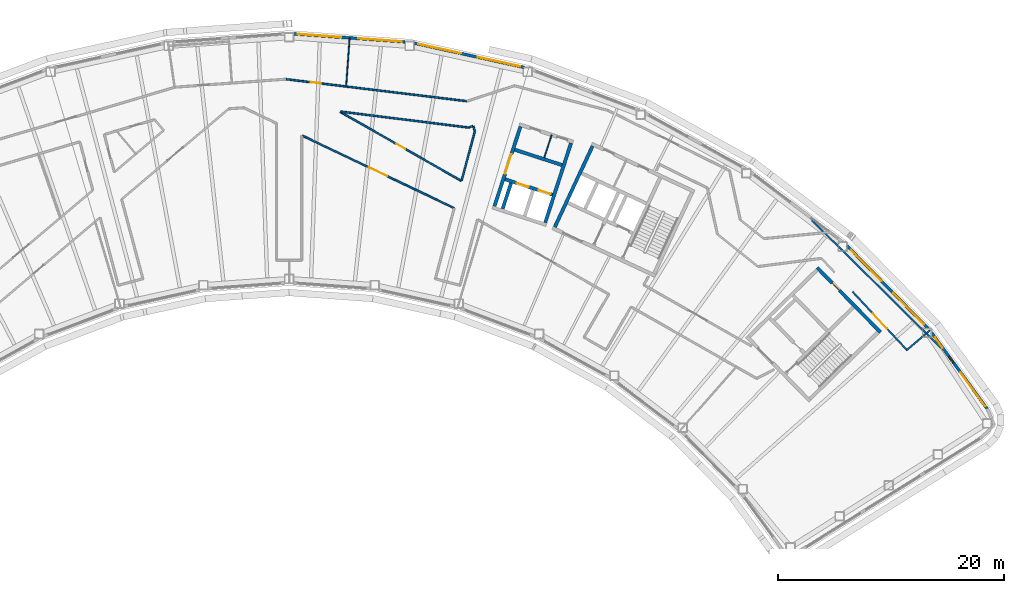
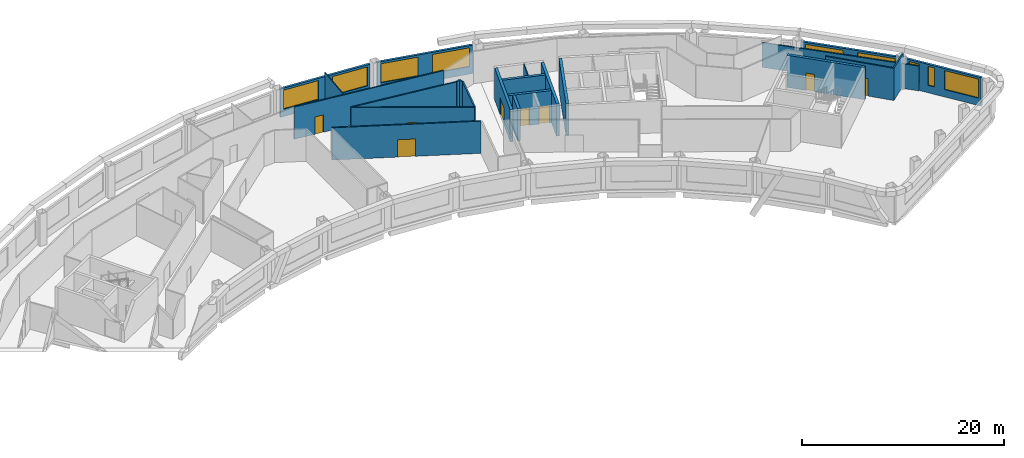
# One storey, part 9 of 13: 23 walls, 9 windows, 8 doors, 17 openings.
"""IFC4 building model written with IfcOpenShell, lengths in metres."""

from ifc_helpers import new_model, si_unit, direction, frame, frame_2d, origin, place, context, subcontext, project, spatial, rectangle, extrude, material, layer, layer_set, type_object, element, fill, save


model = new_model("IFC4")

# Units and contexts
model_context = context("Model", 3, precision=1e-05, world=origin(), true_north=direction((0.0, 1.0)))
body_context = subcontext(model_context, "Body", "Model", "MODEL_VIEW")
ifc_project = project(units=[si_unit("LENGTHUNIT", "METRE"), si_unit("AREAUNIT", "SQUARE_METRE"), si_unit("VOLUMEUNIT", "CUBIC_METRE"), si_unit("PLANEANGLEUNIT", "RADIAN"), si_unit("MASSUNIT", "GRAM", prefix="KILO")], contexts=[model_context])

# Site, building, storey
site_placement = place(None, origin())
site = spatial("IfcSite", under=ifc_project, at=site_placement, CompositionType="ELEMENT")
building_placement = place(site_placement, origin())
building = spatial("IfcBuilding", under=site, at=building_placement, Name="Tuul Gate Civic Tower", CompositionType="ELEMENT")
storey_placement = place(building_placement, frame((0.0, 0.0, 340.699951171875)))
storey = spatial("IfcBuildingStorey", under=building, at=storey_placement, Name="Level 77", CompositionType="ELEMENT", Elevation=340.699951171875)

# Wall, opening, door
ifc_material_1 = material(Name="Concrete C50/60", Category="concrete")
ifc_layer_1 = layer(ifc_material_1, 0.300048828125)
ifc_layer_set_1 = layer_set([ifc_layer_1], Name="Concrete C50/60")
wall_type_1 = type_object("IfcWallType", Name="Core wall C50/60", PredefinedType="SHEAR", material=ifc_layer_set_1)
wall_1_placement = place(storey_placement, frame((54.43798828125, -12.23779296875, 0.0), z_axis=(0.0, 0.0, 1.0), x_axis=(-0.700021979774, 0.714121297703, 0.0)))
wall_1 = element("IfcWall", 1, at=wall_1_placement, inside=storey, type_object=wall_type_1, Name="Core wall", PredefinedType="SHEAR", context=body_context, shape_type="SweptSolid", body=[
    extrude(rectangle(XDim=8.0, YDim=0.300048828125, at=frame_2d((4.0, 0.0))), origin(), (0.0, 0.0, 1.0), 3.900146484375),
])
opening_1_placement = place(wall_1_placement, frame((5.175048828125, 0.0, 0.0)))
opening_1 = element("IfcOpeningElement", 2, at=opening_1_placement, cuts=wall_1, Name="Opening AC-D20", PredefinedType="OPENING", context=body_context, shape_type="SweptSolid", body=[
    extrude(rectangle(XDim=0.89990234375, YDim=2.10009765625, at=frame_2d((0.449951171875, 1.050048828125))), frame((0.0, 0.16015625, 0.0), z_axis=(0.0, -1.0, 0.0), x_axis=(1.0, 0.0, 0.0)), (0.0, 0.0, 1.0), 0.320068359375),
])
ifc_material_2 = material(Name="Timber door leaf", Category="wood")
door_type_1 = type_object("IfcDoorType", Name="Door D09", OperationType="NOTDEFINED", PredefinedType="DOOR", material=ifc_material_2)
door_1_placement = place(opening_1_placement, origin())
door_1 = element("IfcDoor", 3, at=door_1_placement, inside=storey, type_object=door_type_1, Name="Door AC-D20", OperationType="SINGLE_SWING_LEFT", OverallHeight=2.10009765625, OverallWidth=0.89990234375, PredefinedType="DOOR", context=body_context, shape_type="SweptSolid", body=[
    extrude(rectangle(XDim=0.89990234375, YDim=2.10009765625, at=frame_2d((0.449951171875, 1.050048828125))), frame((0.0, 0.02490234375, 0.0), z_axis=(0.0, -1.0, 0.0), x_axis=(1.0, 0.0, 0.0)), (0.0, 0.0, 1.0), 0.050048828125),
])
fill(opening_1, door_1)

# Walls
wall_2_placement = place(storey_placement, frame((25.66455078125, -2.951416015625, 0.0), z_axis=(0.0, 0.0, 1.0), x_axis=(0.422582604137, 0.906324413596, 0.0)))
element("IfcWall", 4, at=wall_2_placement, inside=storey, type_object=wall_type_1, Name="Core wall", PredefinedType="SHEAR", context=body_context, shape_type="SweptSolid", body=[
    extrude(rectangle(XDim=7.89990234375, YDim=0.300048828125, at=frame_2d((3.949951171875, 0.0))), origin(), (0.0, 0.0, 1.0), 3.900146484375),
])
ifc_material_3 = material(Name="Gypsum board partition")
ifc_layer_2 = layer(ifc_material_3, 0.14990234375)
ifc_layer_set_2 = layer_set([ifc_layer_2], Name="Gypsum board partition")
wall_type_2 = type_object("IfcWallType", Name="Corridor wall P150", PredefinedType="PARTITIONING", material=ifc_layer_set_2)
wall_3_placement = place(storey_placement, frame((56.7763671875, -13.803466796875, 0.0), z_axis=(0.0, 0.0, 1.0), x_axis=(0.762693333257, 0.646760295168, 0.0)))
element("IfcWall", 5, at=wall_3_placement, inside=storey, type_object=wall_type_2, Name="p005", PredefinedType="PARTITIONING", context=body_context, shape_type="SweptSolid", body=[
    extrude(rectangle(XDim=2.674560546875, YDim=0.14990234375, at=frame_2d((1.33740234375, 0.0))), origin(), (0.0, 0.0, 1.0), 3.900146484375),
])

# Wall, opening, door
wall_4_placement = place(storey_placement, frame((1.888916015625, 10.12109375, 0.0), z_axis=(0.0, 0.0, 1.0), x_axis=(0.99270352704, -0.120580709079, 0.0)))
wall_4 = element("IfcWall", 6, at=wall_4_placement, inside=storey, type_object=wall_type_2, Name="p014", PredefinedType="PARTITIONING", context=body_context, shape_type="SweptSolid", body=[
    extrude(rectangle(XDim=16.140869140625, YDim=0.14990234375, at=frame_2d((8.0703125, 0.0))), origin(), (0.0, 0.0, 1.0), 3.900146484375),
])
opening_2_placement = place(wall_4_placement, frame((2.23974609375, 0.0, 0.0)))
opening_2 = element("IfcOpeningElement", 7, at=opening_2_placement, cuts=wall_4, Name="Opening AC-D02", PredefinedType="OPENING", context=body_context, shape_type="SweptSolid", body=[
    extrude(rectangle(XDim=0.89990234375, YDim=2.10009765625, at=frame_2d((0.449951171875, 1.050048828125))), frame((0.0, 0.0849609375, 0.0), z_axis=(0.0, -1.0, 0.0), x_axis=(1.0, 0.0, 0.0)), (0.0, 0.0, 1.0), 0.169921875),
])
door_2_placement = place(opening_2_placement, origin())
door_2 = element("IfcDoor", 8, at=door_2_placement, inside=storey, type_object=door_type_1, Name="Door AC-D02", OperationType="SINGLE_SWING_RIGHT", OverallHeight=2.10009765625, OverallWidth=0.89990234375, PredefinedType="DOOR", context=body_context, shape_type="SweptSolid", body=[
    extrude(rectangle(XDim=0.89990234375, YDim=2.10009765625, at=frame_2d((0.449951171875, 1.050048828125))), frame((0.0, 0.02490234375, 0.0), z_axis=(0.0, -1.0, 0.0), x_axis=(1.0, 0.0, 0.0)), (0.0, 0.0, 1.0), 0.050048828125),
])
fill(opening_2, door_2)

wall_5_placement = place(storey_placement, frame((51.96728515625, -8.64892578125, 0.0), z_axis=(0.0, 0.0, 1.0), x_axis=(0.681906636928, -0.731439224074, 0.0)))
wall_5 = element("IfcWall", 9, at=wall_5_placement, inside=storey, type_object=wall_type_2, Name="p030", PredefinedType="PARTITIONING", context=body_context, shape_type="SweptSolid", body=[
    extrude(rectangle(XDim=7.1025390625, YDim=0.14990234375, at=frame_2d((3.55126953125, 0.0))), origin(), (0.0, 0.0, 1.0), 3.900146484375),
])
opening_3_placement = place(wall_5_placement, frame((2.651123046875, 0.0, 0.0)))
opening_3 = element("IfcOpeningElement", 10, at=opening_3_placement, cuts=wall_5, Name="Opening AC-D05", PredefinedType="OPENING", context=body_context, shape_type="SweptSolid", body=[
    extrude(rectangle(XDim=1.800048828125, YDim=2.10009765625, at=frame_2d((0.89990234375, 1.050048828125))), frame((0.0, 0.0849609375, 0.0), z_axis=(0.0, -1.0, 0.0), x_axis=(1.0, 0.0, 0.0)), (0.0, 0.0, 1.0), 0.169921875),
])
ifc_material_4 = material(Name="Timber door leaf, double", Category="wood")
door_type_2 = type_object("IfcDoorType", Name="Door D18", OperationType="DOUBLE_DOOR_SINGLE_SWING", PredefinedType="DOOR", material=ifc_material_4)
door_3_placement = place(opening_3_placement, origin())
door_3 = element("IfcDoor", 11, at=door_3_placement, inside=storey, type_object=door_type_2, Name="Door AC-D05", OperationType="DOUBLE_DOOR_SINGLE_SWING", OverallHeight=2.10009765625, OverallWidth=1.800048828125, PredefinedType="DOOR", context=body_context, shape_type="SweptSolid", body=[
    extrude(rectangle(XDim=1.800048828125, YDim=2.10009765625, at=frame_2d((0.89990234375, 1.050048828125))), frame((0.0, 0.02490234375, 0.0), z_axis=(0.0, -1.0, 0.0), x_axis=(1.0, 0.0, 0.0)), (0.0, 0.0, 1.0), 0.050048828125),
])
fill(opening_3, door_3)

wall_6_placement = place(storey_placement, frame((3.345703125, 5.137451171875, 0.0), z_axis=(0.0, 0.0, 1.0), x_axis=(0.902564421803, -0.43055483332, 0.0)))
wall_6 = element("IfcWall", 12, at=wall_6_placement, inside=storey, type_object=wall_type_2, Name="p039", PredefinedType="PARTITIONING", context=body_context, shape_type="SweptSolid", body=[
    extrude(rectangle(XDim=14.87060546875, YDim=0.14990234375, at=frame_2d((7.435302734375, 0.0))), origin(), (0.0, 0.0, 1.0), 3.900146484375),
])
opening_4_placement = place(wall_6_placement, frame((6.535400390625, 0.0, 0.0)))
opening_4 = element("IfcOpeningElement", 13, at=opening_4_placement, cuts=wall_6, Name="Opening AC-D07", PredefinedType="OPENING", context=body_context, shape_type="SweptSolid", body=[
    extrude(rectangle(XDim=1.800048828125, YDim=2.10009765625, at=frame_2d((0.89990234375, 1.050048828125))), frame((0.0, 0.0849609375, 0.0), z_axis=(0.0, -1.0, 0.0), x_axis=(1.0, 0.0, 0.0)), (0.0, 0.0, 1.0), 0.169921875),
])
door_4_placement = place(opening_4_placement, frame((1.800048828125, 0.0, 0.0), z_axis=(0.0, 0.0, 1.0), x_axis=(-1.0, 0.0, 0.0)))
door_4 = element("IfcDoor", 14, at=door_4_placement, inside=storey, type_object=door_type_2, Name="Door AC-D07", OperationType="DOUBLE_DOOR_SINGLE_SWING", OverallHeight=2.10009765625, OverallWidth=1.800048828125, PredefinedType="DOOR", context=body_context, shape_type="SweptSolid", body=[
    extrude(rectangle(XDim=1.800048828125, YDim=2.10009765625, at=frame_2d((0.900146484375, 1.050048828125))), frame((0.0, 0.02490234375, 0.0), z_axis=(0.0, -1.0, 0.0), x_axis=(1.0, 0.0, 0.0)), (0.0, 0.0, 1.0), 0.050048828125),
])
fill(opening_4, door_4)

# Wall
wall_7_placement = place(storey_placement, frame((17.431396484375, 1.14990234375, 0.0), z_axis=(0.0, 0.0, 1.0), x_axis=(0.258796436374, 0.965931883996, 0.0)))
element("IfcWall", 15, at=wall_7_placement, inside=storey, type_object=wall_type_2, Name="p041", PredefinedType="PARTITIONING", context=body_context, shape_type="SweptSolid", body=[
    extrude(rectangle(XDim=4.515869140625, YDim=0.14990234375, at=frame_2d((2.2578125, 0.0))), origin(), (0.0, 0.0, 1.0), 3.900146484375),
])

# Wall, opening, door
wall_8_placement = place(storey_placement, frame((6.72119140625, 7.223876953125, 0.0), z_axis=(0.0, 0.0, 1.0), x_axis=(0.868880378033, -0.495022109274, 0.0)))
wall_8 = element("IfcWall", 16, at=wall_8_placement, inside=storey, type_object=wall_type_2, Name="p078", PredefinedType="PARTITIONING", context=body_context, shape_type="SweptSolid", body=[
    extrude(rectangle(XDim=12.293212890625, YDim=0.14990234375, at=frame_2d((6.146484375, 0.0))), origin(), (0.0, 0.0, 1.0), 3.900146484375),
])
opening_5_placement = place(wall_8_placement, frame((5.696533203125, 0.0, 0.0)))
opening_5 = element("IfcOpeningElement", 17, at=opening_5_placement, cuts=wall_8, Name="Opening AC-D14", PredefinedType="OPENING", context=body_context, shape_type="SweptSolid", body=[
    extrude(rectangle(XDim=0.89990234375, YDim=2.10009765625, at=frame_2d((0.449951171875, 1.050048828125))), frame((0.0, 0.0849609375, 0.0), z_axis=(0.0, -1.0, 0.0), x_axis=(1.0, 0.0, 0.0)), (0.0, 0.0, 1.0), 0.169921875),
])
door_5_placement = place(opening_5_placement, origin())
door_5 = element("IfcDoor", 18, at=door_5_placement, inside=storey, type_object=door_type_1, Name="Door AC-D14", OperationType="SINGLE_SWING_RIGHT", OverallHeight=2.10009765625, OverallWidth=0.89990234375, PredefinedType="DOOR", context=body_context, shape_type="SweptSolid", body=[
    extrude(rectangle(XDim=0.89990234375, YDim=2.10009765625, at=frame_2d((0.449951171875, 1.050048828125))), frame((0.0, 0.02490234375, 0.0), z_axis=(0.0, -1.0, 0.0), x_axis=(1.0, 0.0, 0.0)), (0.0, 0.0, 1.0), 0.050048828125),
])
fill(opening_5, door_5)

# Walls
wall_9_placement = place(storey_placement, frame((18.03515625, 5.84521484375, 0.0), z_axis=(0.0, 0.0, 1.0), x_axis=(0.950162769036, 0.311754249913, 0.0)))
element("IfcWall", 19, at=wall_9_placement, inside=storey, type_object=wall_type_2, Name="p085", PredefinedType="PARTITIONING", context=body_context, shape_type="SweptSolid", body=[
    extrude(rectangle(XDim=0.426025390625, YDim=0.14990234375, at=frame_2d((0.212890625, 0.0))), origin(), (0.0, 0.0, 1.0), 3.900146484375),
])
wall_10_placement = place(storey_placement, frame((18.465087890625, 5.96484375, 0.0), z_axis=(0.0, 0.0, 1.0), x_axis=(0.29219168789, -0.956359774106, 0.0)))
element("IfcWall", 20, at=wall_10_placement, inside=storey, type_object=wall_type_2, Name="p086", PredefinedType="PARTITIONING", context=body_context, shape_type="SweptSolid", body=[
    extrude(rectangle(XDim=0.462158203125, YDim=0.14990234375, at=frame_2d((0.23095703125, 0.0))), origin(), (0.0, 0.0, 1.0), 3.900146484375),
])
wall_11_placement = place(storey_placement, frame((6.73291015625, 7.259765625, 0.0), z_axis=(0.0, 0.0, 1.0), x_axis=(0.992257086235, -0.124200945314, 0.0)))
element("IfcWall", 21, at=wall_11_placement, inside=storey, type_object=wall_type_2, Name="p087", PredefinedType="PARTITIONING", context=body_context, shape_type="SweptSolid", body=[
    extrude(rectangle(XDim=11.38916015625, YDim=0.14990234375, at=frame_2d((5.694580078125, 0.0))), origin(), (0.0, 0.0, 1.0), 3.900146484375),
])
ifc_material_5 = material(Name="Gypsum board partition")
ifc_layer_3 = layer(ifc_material_5, 0.14990234375)
ifc_layer_set_3 = layer_set([ifc_layer_3], Name="Gypsum board partition")
wall_type_3 = type_object("IfcWallType", Name="Corridor wall P150 3000 HIGH", PredefinedType="PARTITIONING", material=ifc_layer_set_3)
wall_12_placement = place(storey_placement, frame((48.373291015625, -2.341796875, 0.0), z_axis=(0.0, 0.0, 1.0), x_axis=(0.711151576745, -0.703038715074, 0.0)))
element("IfcWall", 22, at=wall_12_placement, inside=storey, type_object=wall_type_3, Name="p007", PredefinedType="PARTITIONING", context=body_context, shape_type="SweptSolid", body=[
    extrude(rectangle(XDim=16.069580078125, YDim=0.14990234375, at=frame_2d((8.03466796875, 0.0))), origin(), (0.0, 0.0, 1.0), 3.0),
])

# Wall, openings, windows
ifc_material_6 = material(Name="Precast concrete C40/50", Category="concrete")
ifc_layer_4 = layer(ifc_material_6, 0.25)
ifc_layer_set_4 = layer_set([ifc_layer_4], Name="Precast concrete C40/50")
wall_type_4 = type_object("IfcWallType", Name="External wall", PredefinedType="STANDARD", material=ifc_layer_set_4)
wall_13_placement = place(storey_placement, frame((63.881103515625, -19.017822265625, 0.0), z_axis=(0.0, 0.0, 1.0), x_axis=(-0.58975151757, 0.80758476182, 0.0)))
wall_13 = element("IfcWall", 23, at=wall_13_placement, inside=storey, type_object=wall_type_4, Name="External wall", PredefinedType="STANDARD", context=body_context, shape_type="SweptSolid", body=[
    extrude(rectangle(XDim=8.33740234375, YDim=0.25, at=frame_2d((4.168701171875, 0.0))), origin(), (0.0, 0.0, 1.0), 3.449951171875),
])
opening_6_placement = place(wall_13_placement, frame((0.30078125, 0.0, 0.89990234375)))
opening_6 = element("IfcOpeningElement", 24, at=opening_6_placement, cuts=wall_13, Name="Opening W21", PredefinedType="OPENING", context=body_context, shape_type="SweptSolid", body=[
    extrude(rectangle(XDim=3.699951171875, YDim=2.300048828125, at=frame_2d((1.85009765625, 1.14990234375))), frame((0.0, 0.135009765625, 0.0), z_axis=(0.0, -1.0, 0.0), x_axis=(1.0, 0.0, 0.0)), (0.0, 0.0, 1.0), 0.27001953125),
])
opening_7_placement = place(wall_13_placement, frame((5.056396484375, 0.0, 0.89990234375)))
opening_7 = element("IfcOpeningElement", 25, at=opening_7_placement, cuts=wall_13, Name="Opening W70", PredefinedType="OPENING", context=body_context, shape_type="SweptSolid", body=[
    extrude(rectangle(XDim=0.699951171875, YDim=2.300048828125, at=frame_2d((0.35009765625, 1.14990234375))), frame((0.0, 0.135009765625, 0.0), z_axis=(0.0, -1.0, 0.0), x_axis=(1.0, 0.0, 0.0)), (0.0, 0.0, 1.0), 0.27001953125),
])
opening_8_placement = place(wall_13_placement, frame((6.678955078125, 0.0, 0.89990234375)))
opening_8 = element("IfcOpeningElement", 26, at=opening_8_placement, cuts=wall_13, Name="Opening W43", PredefinedType="OPENING", context=body_context, shape_type="SweptSolid", body=[
    extrude(rectangle(XDim=1.14990234375, YDim=2.300048828125, at=frame_2d((0.574951171875, 1.14990234375))), frame((0.0, 0.135009765625, 0.0), z_axis=(0.0, -1.0, 0.0), x_axis=(1.0, 0.0, 0.0)), (0.0, 0.0, 1.0), 0.27001953125),
])
ifc_material_7 = material(Name="Glass", Category="glass")
window_type_1 = type_object("IfcWindowType", Name="Window 1150 x 2300", PartitioningType="SINGLE_PANEL", PredefinedType="WINDOW", material=ifc_material_7)
window_1_placement = place(opening_8_placement, origin())
window_1 = element("IfcWindow", 27, at=window_1_placement, inside=storey, type_object=window_type_1, Name="Window", OverallHeight=2.300048828125, OverallWidth=1.14990234375, PartitioningType="SINGLE_PANEL", PredefinedType="WINDOW", context=body_context, shape_type="SweptSolid", body=[
    extrude(rectangle(XDim=1.14990234375, YDim=2.300048828125, at=frame_2d((0.574951171875, 1.14990234375))), frame((0.0, 0.030029296875, 0.0), z_axis=(0.0, -1.0, 0.0), x_axis=(1.0, 0.0, 0.0)), (0.0, 0.0, 1.0), 0.06005859375),
])
fill(opening_8, window_1)
ifc_material_8 = material(Name="Glass", Category="glass")
window_type_2 = type_object("IfcWindowType", Name="Window 700 x 2300", PartitioningType="SINGLE_PANEL", PredefinedType="WINDOW", material=ifc_material_8)
window_2_placement = place(opening_7_placement, origin())
window_2 = element("IfcWindow", 28, at=window_2_placement, inside=storey, type_object=window_type_2, Name="Window", OverallHeight=2.300048828125, OverallWidth=0.699951171875, PartitioningType="SINGLE_PANEL", PredefinedType="WINDOW", context=body_context, shape_type="SweptSolid", body=[
    extrude(rectangle(XDim=0.699951171875, YDim=2.300048828125, at=frame_2d((0.35009765625, 1.14990234375))), frame((0.0, 0.030029296875, 0.0), z_axis=(0.0, -1.0, 0.0), x_axis=(1.0, 0.0, 0.0)), (0.0, 0.0, 1.0), 0.06005859375),
])
fill(opening_7, window_2)
ifc_material_9 = material(Name="Glass", Category="glass")
window_type_3 = type_object("IfcWindowType", Name="Window W21 3700 x 2300", PartitioningType="SINGLE_PANEL", PredefinedType="WINDOW", material=ifc_material_9)
window_3_placement = place(opening_6_placement, origin())
window_3 = element("IfcWindow", 29, at=window_3_placement, inside=storey, type_object=window_type_3, Name="Window", OverallHeight=2.300048828125, OverallWidth=3.699951171875, PartitioningType="SINGLE_PANEL", PredefinedType="WINDOW", context=body_context, shape_type="SweptSolid", body=[
    extrude(rectangle(XDim=3.699951171875, YDim=2.300048828125, at=frame_2d((1.85009765625, 1.14990234375))), frame((0.0, 0.030029296875, 0.0), z_axis=(0.0, -1.0, 0.0), x_axis=(1.0, 0.0, 0.0)), (0.0, 0.0, 1.0), 0.06005859375),
])
fill(opening_6, window_3)

wall_14_placement = place(storey_placement, frame((58.627197265625, -11.887939453125, 0.0), z_axis=(0.0, 0.0, 1.0), x_axis=(-0.700055609081, 0.714088330807, 0.0)))
wall_14 = element("IfcWall", 30, at=wall_14_placement, inside=storey, type_object=wall_type_4, Name="External wall", PredefinedType="STANDARD", context=body_context, shape_type="SweptSolid", body=[
    extrude(rectangle(XDim=10.1953125, YDim=0.25, at=frame_2d((5.09765625, 0.0))), origin(), (0.0, 0.0, 1.0), 3.449951171875),
])
opening_9_placement = place(wall_14_placement, frame((0.48681640625, 0.0, 0.89990234375)))
opening_9 = element("IfcOpeningElement", 31, at=opening_9_placement, cuts=wall_14, Name="Opening W22", PredefinedType="OPENING", context=body_context, shape_type="SweptSolid", body=[
    extrude(rectangle(XDim=3.85009765625, YDim=2.300048828125, at=frame_2d((1.925048828125, 1.14990234375))), frame((0.0, 0.135009765625, 0.0), z_axis=(0.0, -1.0, 0.0), x_axis=(1.0, 0.0, 0.0)), (0.0, 0.0, 1.0), 0.27001953125),
])
opening_10_placement = place(wall_14_placement, frame((5.85791015625, 0.0, 0.89990234375)))
opening_10 = element("IfcOpeningElement", 32, at=opening_10_placement, cuts=wall_14, Name="Opening W22", PredefinedType="OPENING", context=body_context, shape_type="SweptSolid", body=[
    extrude(rectangle(XDim=3.85009765625, YDim=2.300048828125, at=frame_2d((1.925048828125, 1.14990234375))), frame((0.0, 0.135009765625, 0.0), z_axis=(0.0, -1.0, 0.0), x_axis=(1.0, 0.0, 0.0)), (0.0, 0.0, 1.0), 0.27001953125),
])
ifc_material_10 = material(Name="Glass", Category="glass")
window_type_4 = type_object("IfcWindowType", Name="Window W22 3850 x 2300", PartitioningType="SINGLE_PANEL", PredefinedType="WINDOW", material=ifc_material_10)
window_4_placement = place(opening_9_placement, origin())
window_4 = element("IfcWindow", 33, at=window_4_placement, inside=storey, type_object=window_type_4, Name="Window", OverallHeight=2.300048828125, OverallWidth=3.85009765625, PartitioningType="SINGLE_PANEL", PredefinedType="WINDOW", context=body_context, shape_type="SweptSolid", body=[
    extrude(rectangle(XDim=3.85009765625, YDim=2.300048828125, at=frame_2d((1.925048828125, 1.14990234375))), frame((0.0, 0.030029296875, 0.0), z_axis=(0.0, -1.0, 0.0), x_axis=(1.0, 0.0, 0.0)), (0.0, 0.0, 1.0), 0.06005859375),
])
fill(opening_9, window_4)
window_5_placement = place(opening_10_placement, origin())
window_5 = element("IfcWindow", 34, at=window_5_placement, inside=storey, type_object=window_type_4, Name="Window", OverallHeight=2.300048828125, OverallWidth=3.85009765625, PartitioningType="SINGLE_PANEL", PredefinedType="WINDOW", context=body_context, shape_type="SweptSolid", body=[
    extrude(rectangle(XDim=3.85009765625, YDim=2.300048828125, at=frame_2d((1.925048828125, 1.14990234375))), frame((0.0, 0.030029296875, 0.0), z_axis=(0.0, -1.0, 0.0), x_axis=(1.0, 0.0, 0.0)), (0.0, 0.0, 1.0), 0.06005859375),
])
fill(opening_10, window_5)

wall_15_placement = place(storey_placement, frame((22.9658203125, 11.157958984375, 0.0), z_axis=(0.0, 0.0, 1.0), x_axis=(-0.976563421064, 0.215229841426, 0.0)))
wall_15 = element("IfcWall", 35, at=wall_15_placement, inside=storey, type_object=wall_type_4, Name="External wall", PredefinedType="STANDARD", context=body_context, shape_type="SweptSolid", body=[
    extrude(rectangle(XDim=9.958251953125, YDim=0.25, at=frame_2d((4.97900390625, 0.0))), origin(), (0.0, 0.0, 1.0), 3.449951171875),
])
opening_11_placement = place(wall_15_placement, frame((0.346923828125, 0.0, 0.89990234375)))
opening_11 = element("IfcOpeningElement", 36, at=opening_11_placement, cuts=wall_15, Name="Opening W22", PredefinedType="OPENING", context=body_context, shape_type="SweptSolid", body=[
    extrude(rectangle(XDim=3.85009765625, YDim=2.300048828125, at=frame_2d((1.925048828125, 1.14990234375))), frame((0.0, 0.135009765625, 0.0), z_axis=(0.0, -1.0, 0.0), x_axis=(1.0, 0.0, 0.0)), (0.0, 0.0, 1.0), 0.27001953125),
])
opening_12_placement = place(wall_15_placement, frame((5.71826171875, 0.0, 0.89990234375)))
opening_12 = element("IfcOpeningElement", 37, at=opening_12_placement, cuts=wall_15, Name="Opening W22", PredefinedType="OPENING", context=body_context, shape_type="SweptSolid", body=[
    extrude(rectangle(XDim=3.85009765625, YDim=2.300048828125, at=frame_2d((1.925048828125, 1.14990234375))), frame((0.0, 0.135009765625, 0.0), z_axis=(0.0, -1.0, 0.0), x_axis=(1.0, 0.0, 0.0)), (0.0, 0.0, 1.0), 0.27001953125),
])
window_6_placement = place(opening_11_placement, origin())
window_6 = element("IfcWindow", 38, at=window_6_placement, inside=storey, type_object=window_type_4, Name="Window", OverallHeight=2.300048828125, OverallWidth=3.85009765625, PartitioningType="SINGLE_PANEL", PredefinedType="WINDOW", context=body_context, shape_type="SweptSolid", body=[
    extrude(rectangle(XDim=3.85009765625, YDim=2.300048828125, at=frame_2d((1.925048828125, 1.14990234375))), frame((0.0, 0.030029296875, 0.0), z_axis=(0.0, -1.0, 0.0), x_axis=(1.0, 0.0, 0.0)), (0.0, 0.0, 1.0), 0.06005859375),
])
fill(opening_11, window_6)
window_7_placement = place(opening_12_placement, origin())
window_7 = element("IfcWindow", 39, at=window_7_placement, inside=storey, type_object=window_type_4, Name="Window", OverallHeight=2.300048828125, OverallWidth=3.85009765625, PartitioningType="SINGLE_PANEL", PredefinedType="WINDOW", context=body_context, shape_type="SweptSolid", body=[
    extrude(rectangle(XDim=3.85009765625, YDim=2.300048828125, at=frame_2d((1.925048828125, 1.14990234375))), frame((0.0, 0.030029296875, 0.0), z_axis=(0.0, -1.0, 0.0), x_axis=(1.0, 0.0, 0.0)), (0.0, 0.0, 1.0), 0.06005859375),
])
fill(opening_12, window_7)

wall_16_placement = place(storey_placement, frame((12.44091796875, 13.411376953125, 0.0), z_axis=(0.0, 0.0, 1.0), x_axis=(-0.997387042659, 0.072243249762, 0.0)))
wall_16 = element("IfcWall", 40, at=wall_16_placement, inside=storey, type_object=wall_type_4, Name="External wall", PredefinedType="STANDARD", context=body_context, shape_type="SweptSolid", body=[
    extrude(rectangle(XDim=9.874755859375, YDim=0.25, at=frame_2d((4.9375, 0.0))), origin(), (0.0, 0.0, 1.0), 3.449951171875),
])
opening_13_placement = place(wall_16_placement, frame((0.303466796875, 0.0, 0.89990234375)))
opening_13 = element("IfcOpeningElement", 41, at=opening_13_placement, cuts=wall_16, Name="Opening W22", PredefinedType="OPENING", context=body_context, shape_type="SweptSolid", body=[
    extrude(rectangle(XDim=3.85009765625, YDim=2.300048828125, at=frame_2d((1.925048828125, 1.14990234375))), frame((0.0, 0.135009765625, 0.0), z_axis=(0.0, -1.0, 0.0), x_axis=(1.0, 0.0, 0.0)), (0.0, 0.0, 1.0), 0.27001953125),
])
opening_14_placement = place(wall_16_placement, frame((5.67431640625, 0.0, 0.89990234375)))
opening_14 = element("IfcOpeningElement", 42, at=opening_14_placement, cuts=wall_16, Name="Opening W22", PredefinedType="OPENING", context=body_context, shape_type="SweptSolid", body=[
    extrude(rectangle(XDim=3.85009765625, YDim=2.300048828125, at=frame_2d((1.925048828125, 1.14990234375))), frame((0.0, 0.135009765625, 0.0), z_axis=(0.0, -1.0, 0.0), x_axis=(1.0, 0.0, 0.0)), (0.0, 0.0, 1.0), 0.27001953125),
])
window_8_placement = place(opening_13_placement, origin())
window_8 = element("IfcWindow", 43, at=window_8_placement, inside=storey, type_object=window_type_4, Name="Window", OverallHeight=2.300048828125, OverallWidth=3.85009765625, PartitioningType="SINGLE_PANEL", PredefinedType="WINDOW", context=body_context, shape_type="SweptSolid", body=[
    extrude(rectangle(XDim=3.85009765625, YDim=2.300048828125, at=frame_2d((1.925048828125, 1.14990234375))), frame((0.0, 0.030029296875, 0.0), z_axis=(0.0, -1.0, 0.0), x_axis=(1.0, 0.0, 0.0)), (0.0, 0.0, 1.0), 0.06005859375),
])
fill(opening_13, window_8)
window_9_placement = place(opening_14_placement, origin())
window_9 = element("IfcWindow", 44, at=window_9_placement, inside=storey, type_object=window_type_4, Name="Window", OverallHeight=2.300048828125, OverallWidth=3.85009765625, PartitioningType="SINGLE_PANEL", PredefinedType="WINDOW", context=body_context, shape_type="SweptSolid", body=[
    extrude(rectangle(XDim=3.85009765625, YDim=2.300048828125, at=frame_2d((1.925048828125, 1.14990234375))), frame((0.0, 0.030029296875, 0.0), z_axis=(0.0, -1.0, 0.0), x_axis=(1.0, 0.0, 0.0)), (0.0, 0.0, 1.0), 0.06005859375),
])
fill(opening_14, window_9)

# Wall, openings, doors
ifc_material_11 = material(Name="Concrete C40/50", Category="concrete")
ifc_layer_5 = layer(ifc_material_11, 0.300048828125)
ifc_layer_set_5 = layer_set([ifc_layer_5], Name="Concrete C40/50")
wall_type_5 = type_object("IfcWallType", Name="Lift shaft wall C40/50", PredefinedType="STANDARD", material=ifc_layer_set_5)
wall_17_placement = place(storey_placement, frame((25.460693359375, -0.0859375, 0.0), z_axis=(0.0, 0.0, 1.0), x_axis=(-0.951063829732, 0.308994485023, 0.0)))
wall_17 = element("IfcWall", 45, at=wall_17_placement, inside=storey, type_object=wall_type_5, Name="Shaft wall", PredefinedType="STANDARD", context=body_context, shape_type="SweptSolid", body=[
    extrude(rectangle(XDim=4.400146484375, YDim=0.300048828125, at=frame_2d((2.2001953125, 0.0))), origin(), (0.0, 0.0, 1.0), 3.900146484375),
])
opening_15_placement = place(wall_17_placement, frame((0.175048828125, 0.0, 0.0)))
opening_15 = element("IfcOpeningElement", 46, at=opening_15_placement, cuts=wall_17, Name="Opening LD-H2", PredefinedType="OPENING", context=body_context, shape_type="SweptSolid", body=[
    extrude(rectangle(XDim=1.10009765625, YDim=2.10009765625, at=frame_2d((0.550048828125, 1.050048828125))), frame((0.0, 0.16015625, 0.0), z_axis=(0.0, -1.0, 0.0), x_axis=(1.0, 0.0, 0.0)), (0.0, 0.0, 1.0), 0.320068359375),
])
opening_16_placement = place(wall_17_placement, frame((2.22509765625, 0.0, 0.0)))
opening_16 = element("IfcOpeningElement", 47, at=opening_16_placement, cuts=wall_17, Name="Opening LD-H3", PredefinedType="OPENING", context=body_context, shape_type="SweptSolid", body=[
    extrude(rectangle(XDim=1.10009765625, YDim=2.10009765625, at=frame_2d((0.550048828125, 1.050048828125))), frame((0.0, 0.16015625, 0.0), z_axis=(0.0, -1.0, 0.0), x_axis=(1.0, 0.0, 0.0)), (0.0, 0.0, 1.0), 0.320068359375),
])
ifc_material_12 = material(Name="Stainless steel", Category="steel")
door_type_3 = type_object("IfcDoorType", Name="Landing door", OperationType="DOUBLE_DOOR_SLIDING", PredefinedType="DOOR", material=ifc_material_12)
door_6_placement = place(opening_15_placement, origin())
door_6 = element("IfcDoor", 48, at=door_6_placement, inside=storey, type_object=door_type_3, Name="High-rise lift H2 landing door", OperationType="DOUBLE_DOOR_SLIDING", OverallHeight=2.10009765625, OverallWidth=1.10009765625, PredefinedType="DOOR", context=body_context, shape_type="SweptSolid", body=[
    extrude(rectangle(XDim=1.10009765625, YDim=2.10009765625, at=frame_2d((0.550048828125, 1.050048828125))), frame((0.0, 0.02490234375, 0.0), z_axis=(0.0, -1.0, 0.0), x_axis=(1.0, 0.0, 0.0)), (0.0, 0.0, 1.0), 0.050048828125),
])
fill(opening_15, door_6)
door_7_placement = place(opening_16_placement, origin())
door_7 = element("IfcDoor", 49, at=door_7_placement, inside=storey, type_object=door_type_3, Name="High-rise lift H3 landing door", OperationType="DOUBLE_DOOR_SLIDING", OverallHeight=2.10009765625, OverallWidth=1.10009765625, PredefinedType="DOOR", context=body_context, shape_type="SweptSolid", body=[
    extrude(rectangle(XDim=1.10009765625, YDim=2.10009765625, at=frame_2d((0.550048828125, 1.050048828125))), frame((0.0, 0.02490234375, 0.0), z_axis=(0.0, -1.0, 0.0), x_axis=(1.0, 0.0, 0.0)), (0.0, 0.0, 1.0), 0.050048828125),
])
fill(opening_16, door_7)

# Walls
wall_18_placement = place(storey_placement, frame((26.310546875, 2.529541015625, 0.0), z_axis=(0.0, 0.0, 1.0), x_axis=(-0.951058531764, 0.30901079133, 0.0)))
element("IfcWall", 50, at=wall_18_placement, inside=storey, type_object=wall_type_5, Name="Shaft wall", PredefinedType="STANDARD", context=body_context, shape_type="SweptSolid", body=[
    extrude(rectangle(XDim=4.39990234375, YDim=0.300048828125, at=frame_2d((2.199951171875, 0.0))), origin(), (0.0, 0.0, 1.0), 3.900146484375),
])
wall_19_placement = place(storey_placement, frame((24.815185546875, -2.557373046875, 0.0), z_axis=(0.0, 0.0, 1.0), x_axis=(0.30907264409, 0.951038432807, 0.0)))
element("IfcWall", 51, at=wall_19_placement, inside=storey, type_object=wall_type_5, Name="Shaft wall", PredefinedType="STANDARD", context=body_context, shape_type="SweptSolid", body=[
    extrude(rectangle(XDim=7.39990234375, YDim=0.300048828125, at=frame_2d((3.699951171875, 0.0))), origin(), (0.0, 0.0, 1.0), 3.900146484375),
])
wall_20_placement = place(storey_placement, frame((21.058349609375, -1.336669921875, 0.0), z_axis=(0.0, 0.0, 1.0), x_axis=(0.309138975195, 0.951016873675, 0.0)))
element("IfcWall", 52, at=wall_20_placement, inside=storey, type_object=wall_type_5, Name="Shaft wall", PredefinedType="STANDARD", context=body_context, shape_type="SweptSolid", body=[
    extrude(rectangle(XDim=2.400146484375, YDim=0.300048828125, at=frame_2d((1.2001953125, 0.0))), origin(), (0.0, 0.0, 1.0), 3.900146484375),
])

# Wall, opening, door
wall_21_placement = place(storey_placement, frame((20.34521484375, -1.10498046875, 0.0), z_axis=(0.0, 0.0, 1.0), x_axis=(0.30907264409, 0.951038432807, 0.0)))
wall_21 = element("IfcWall", 53, at=wall_21_placement, inside=storey, type_object=wall_type_5, Name="Shaft wall", PredefinedType="STANDARD", context=body_context, shape_type="SweptSolid", body=[
    extrude(rectangle(XDim=7.39990234375, YDim=0.300048828125, at=frame_2d((3.699951171875, 0.0))), origin(), (0.0, 0.0, 1.0), 3.900146484375),
])
opening_17_placement = place(wall_21_placement, frame((3.02490234375, 0.0, 0.0)))
opening_17 = element("IfcOpeningElement", 54, at=opening_17_placement, cuts=wall_21, Name="Opening LB-E4-LOBBY-1", PredefinedType="OPENING", context=body_context, shape_type="SweptSolid", body=[
    extrude(rectangle(XDim=1.800048828125, YDim=2.10009765625, at=frame_2d((0.89990234375, 1.050048828125))), frame((0.0, 0.16015625, 0.0), z_axis=(0.0, -1.0, 0.0), x_axis=(1.0, 0.0, 0.0)), (0.0, 0.0, 1.0), 0.320068359375),
])
ifc_material_13 = material(Name="Steel", Category="steel")
door_type_4 = type_object("IfcDoorType", Name="Lobby door", OperationType="DOUBLE_DOOR_SINGLE_SWING", PredefinedType="DOOR", material=ifc_material_13)
door_8_placement = place(opening_17_placement, frame((1.800048828125, 0.0, 0.0), z_axis=(0.0, 0.0, 1.0), x_axis=(-1.0, 0.0, 0.0)))
door_8 = element("IfcDoor", 55, at=door_8_placement, inside=storey, type_object=door_type_4, Name="Lobby door E4-LOBBY", OperationType="DOUBLE_DOOR_SINGLE_SWING", OverallHeight=2.10009765625, OverallWidth=1.800048828125, PredefinedType="DOOR", context=body_context, shape_type="SweptSolid", body=[
    extrude(rectangle(XDim=1.800048828125, YDim=2.10009765625, at=frame_2d((0.900146484375, 1.050048828125))), frame((0.0, 0.02490234375, 0.0), z_axis=(0.0, -1.0, 0.0), x_axis=(1.0, 0.0, 0.0)), (0.0, 0.0, 1.0), 0.050048828125),
])
fill(opening_17, door_8)

# Walls
ifc_material_14 = material(Name="Gypsum board partition")
ifc_layer_6 = layer(ifc_material_14, 0.10009765625)
ifc_layer_set_6 = layer_set([ifc_layer_6], Name="Gypsum board partition")
wall_type_6 = type_object("IfcWallType", Name="Partition P100", PredefinedType="PARTITIONING", material=ifc_layer_set_6)
wall_22_placement = place(storey_placement, frame((7.229248046875, 9.472412109375, 0.0), z_axis=(0.0, 0.0, 1.0), x_axis=(0.072221178859, 0.997388641064, 0.0)))
element("IfcWall", 56, at=wall_22_placement, inside=storey, type_object=wall_type_6, Name="p001", PredefinedType="PARTITIONING", context=body_context, shape_type="SweptSolid", body=[
    extrude(rectangle(XDim=4.31005859375, YDim=0.10009765625, at=frame_2d((2.155029296875, 0.0))), origin(), (0.0, 0.0, 1.0), 3.900146484375),
])
wall_23_placement = place(storey_placement, frame((24.740234375, 3.197509765625, 0.0), z_axis=(0.0, 0.0, 1.0), x_axis=(0.309138649025, 0.951016979701, 0.0)))
element("IfcWall", 57, at=wall_23_placement, inside=storey, type_object=wall_type_6, Name="bE4-BAND-0", PredefinedType="PARTITIONING", context=body_context, shape_type="SweptSolid", body=[
    extrude(rectangle(XDim=2.099853515625, YDim=0.10009765625, at=frame_2d((1.0498046875, 0.0))), origin(), (0.0, 0.0, 1.0), 3.900146484375),
])

save(model, "model.ifc")
